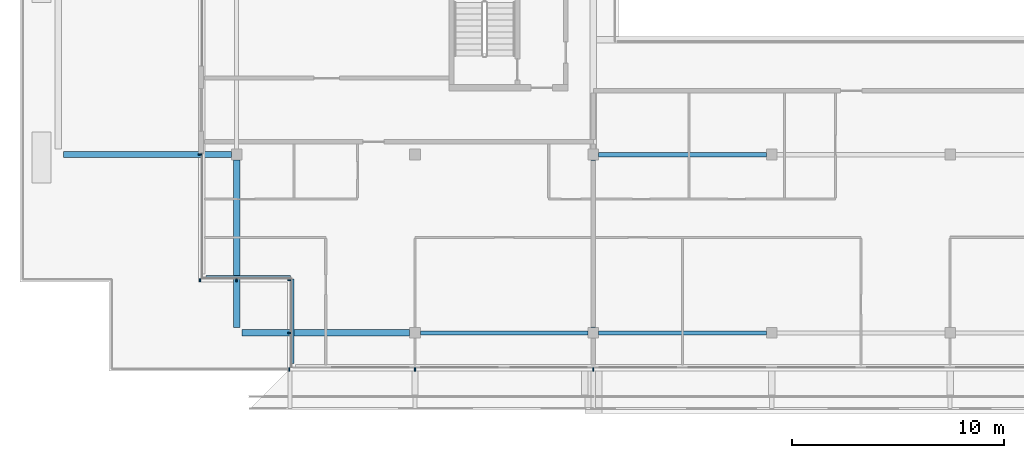
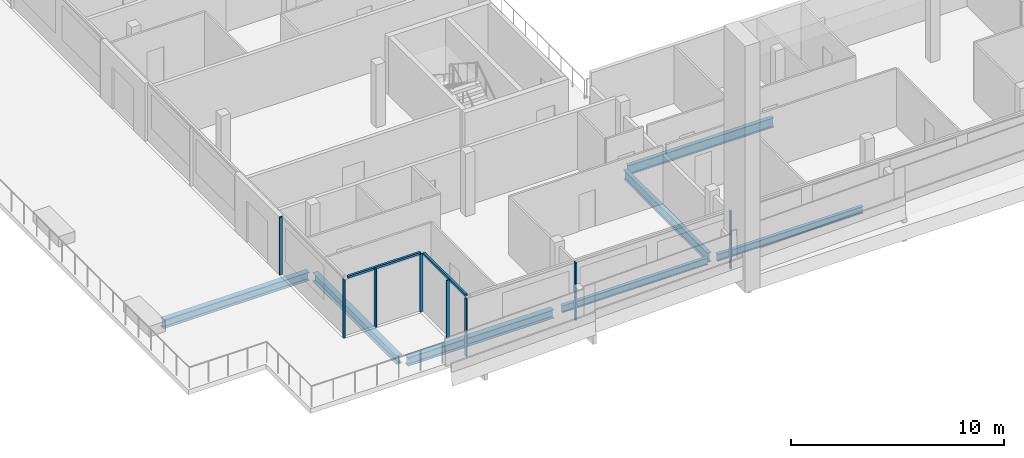
# One storey, part 2 of 29: 10 members, 7 beams, 4 elements without a shape of their own.
"""IFC4 building model written with IfcOpenShell, lengths in metres."""

from ifc_helpers import new_model, si_unit, direction, frame, origin, origin_2d, place, context, subcontext, project, spatial, rectangle, i_section, extrude, material, material_profile, profile_set, type_object, element, aggregate, save


model = new_model("IFC4")

# Units and contexts
model_context = context("Model", 3, precision=1e-05, world=origin(), true_north=direction((0.0, 1.0)))
body_context = subcontext(model_context, "Body", "Model", "MODEL_VIEW")
ifc_project = project(units=[si_unit("LENGTHUNIT", "METRE"), si_unit("AREAUNIT", "SQUARE_METRE"), si_unit("VOLUMEUNIT", "CUBIC_METRE"), si_unit("PLANEANGLEUNIT", "RADIAN"), si_unit("MASSUNIT", "GRAM", prefix="KILO")], contexts=[model_context])

# Site, building, storey
site_placement = place(None, origin())
site = spatial("IfcSite", under=ifc_project, at=site_placement, CompositionType="ELEMENT")
building_placement = place(site_placement, origin())
building = spatial("IfcBuilding", under=site, at=building_placement, Name="Saffron Gate Tower", CompositionType="ELEMENT")
storey_placement = place(building_placement, frame((0.0, 0.0, 270.75)))
storey = spatial("IfcBuildingStorey", under=building, at=storey_placement, Name="L65", CompositionType="ELEMENT", Elevation=270.75)

# Beams
ifc_material_1 = material(Name="Structural steel S355", Category="steel")
ifc_material_profile_1 = material_profile(ifc_material_1, i_section(OverallWidth=0.2099609375, OverallDepth=0.550048828125, WebThickness=0.010986328125, FlangeThickness=0.01708984375, FilletRadius=0.02392578125, at=origin_2d()))
ifc_profile_set_1 = profile_set([ifc_material_profile_1], Name="Structural steel S355")
beam_type_1 = type_object("IfcBeamType", Name="B12 IPE 550", PredefinedType="BEAM", material=ifc_profile_set_1)
for number, where, z_axis, x_axis, name in (
    (1, (75.0, 32.050048828125, -0.554931640625), (0.0, 1.0, 0.0), (-1.0, 0.0, 0.0), "B12 FLOOR GIRDER"),
    (2, (75.25, 40.199951171875, -0.554931640625), (1.0, 0.0, 0.0), (0.0, 1.0, 0.0), "B12 FLOOR GIRDER"),
):
    element("IfcBeam", number, at=place(storey_placement, frame(where, z_axis=z_axis, x_axis=x_axis)), inside=storey, type_object=beam_type_1, Name=name, PredefinedType="BEAM", context=body_context, shape_type="SweptSolid", body=[
        extrude(i_section(OverallWidth=0.2099609375, OverallDepth=0.550048828125, WebThickness=0.010986328125, FlangeThickness=0.01708984375, FilletRadius=0.02392578125, at=origin_2d()), origin(), (0.0, 0.0, 1.0), 7.89990234375),
    ])
ifc_material_profile_2 = material_profile(ifc_material_1, i_section(OverallWidth=0.179931640625, OverallDepth=0.39990234375, WebThickness=0.008544921875, FlangeThickness=0.013427734375, FilletRadius=0.02099609375, at=origin_2d()))
ifc_profile_set_2 = profile_set([ifc_material_profile_2], Name="Structural steel S355")
beam_type_2 = type_object("IfcBeamType", Name="B5 IPE 400", PredefinedType="SPANDREL", material=ifc_profile_set_2)
for number, where, z_axis, x_axis, name in (
    (3, (66.85009765625, 31.800048828125, -0.47998046875), (1.0, 0.0, 0.0), (0.0, 1.0, 0.0), "B5 SPANDREL BEAM"),
    (4, (75.25, 31.800048828125, -0.47998046875), (1.0, 0.0, 0.0), (0.0, 1.0, 0.0), "B5 SPANDREL BEAM"),
):
    element("IfcBeam", number, at=place(storey_placement, frame(where, z_axis=z_axis, x_axis=x_axis)), inside=storey, type_object=beam_type_2, Name=name, PredefinedType="SPANDREL", context=body_context, shape_type="SweptSolid", body=[
        extrude(i_section(OverallWidth=0.179931640625, OverallDepth=0.39990234375, WebThickness=0.008544921875, FlangeThickness=0.013427734375, FilletRadius=0.02099609375, at=origin_2d()), origin(), (0.0, 0.0, 1.0), 7.89990234375),
    ])
ifc_material_profile_3 = material_profile(ifc_material_1, i_section(OverallWidth=0.300048828125, OverallDepth=0.489990234375, WebThickness=0.011962890625, FlangeThickness=0.02294921875, FilletRadius=0.027099609375, at=origin_2d()))
ifc_profile_set_3 = profile_set([ifc_material_profile_3], Name="Structural steel S355")
beam_type_3 = type_object("IfcBeamType", Name="B8 HEA 500", PredefinedType="BEAM", material=ifc_profile_set_3)
beam_1_placement = place(storey_placement, frame((50.050048828125, 40.199951171875, -0.52490234375), z_axis=(1.0, 0.0, 0.0), x_axis=(0.0, 1.0, 0.0)))
element("IfcBeam", 5, at=beam_1_placement, inside=storey, type_object=beam_type_3, Name="B8 TERRACE BEAM", PredefinedType="BEAM", context=body_context, shape_type="SweptSolid", body=[
    extrude(i_section(OverallWidth=0.300048828125, OverallDepth=0.489990234375, WebThickness=0.011962890625, FlangeThickness=0.02294921875, FilletRadius=0.027099609375, at=origin_2d()), origin(), (0.0, 0.0, 1.0), 7.89990234375),
])
beam_2_placement = place(storey_placement, frame((58.449951171875, 31.800048828125, -0.52490234375), z_axis=(1.0, 0.0, 0.0), x_axis=(0.0, 1.0, 0.0)))
element("IfcBeam", 6, at=beam_2_placement, inside=storey, type_object=beam_type_3, Name="B8 TERRACE BEAM", PredefinedType="BEAM", context=body_context, shape_type="SweptSolid", body=[
    extrude(i_section(OverallWidth=0.300048828125, OverallDepth=0.489990234375, WebThickness=0.011962890625, FlangeThickness=0.02294921875, FilletRadius=0.027099609375, at=origin_2d()), origin(), (0.0, 0.0, 1.0), 7.900146484375),
])
beam_3_placement = place(storey_placement, frame((58.199951171875, 32.050048828125, -0.52490234375), z_axis=(0.0, 1.0, 0.0), x_axis=(-1.0, 0.0, 0.0)))
element("IfcBeam", 7, at=beam_3_placement, inside=storey, type_object=beam_type_3, Name="B8 TERRACE BEAM", PredefinedType="BEAM", context=body_context, shape_type="SweptSolid", body=[
    extrude(i_section(OverallWidth=0.300048828125, OverallDepth=0.489990234375, WebThickness=0.011962890625, FlangeThickness=0.02294921875, FilletRadius=0.027099609375, at=origin_2d()), origin(), (0.0, 0.0, 1.0), 7.89990234375),
])

# Curtain wall, members
ifc_material_2 = material(Name="Aluminium, bronze anodised", Category="aluminium")
curtain_wall_type_1 = type_object("IfcCurtainWallType", Name="CWS1 curtain wall front facade", PredefinedType="NOTDEFINED", material=ifc_material_2)
curtain_wall_1_placement = place(storey_placement, origin())
curtain_wall_1 = element("IfcCurtainWall", 8, at=curtain_wall_1_placement, inside=storey, type_object=curtain_wall_type_1, Name="CWS1 run 1", PredefinedType="NOTDEFINED")
ifc_material_profile_4 = material_profile(ifc_material_2, rectangle(XDim=0.159912109375, YDim=0.06005859375, at=origin_2d()))
ifc_profile_set_4 = profile_set([ifc_material_profile_4], Name="Aluminium, bronze anodised")
member_type_1 = type_object("IfcMemberType", Name="CWS1 mullion 60x160", PredefinedType="MULLION", material=ifc_profile_set_4)
member_1_placement = place(storey_placement, frame((60.679931640625, 30.080078125, 0.0), z_axis=(0.0, 0.0, 1.0), x_axis=(0.0, 1.0, 0.0)))
member_1 = element("IfcMember", 9, at=member_1_placement, type_object=member_type_1, Name="CWS1 mullion 1", PredefinedType="MULLION", context=body_context, shape_type="SweptSolid", body=[
    extrude(rectangle(XDim=0.159912109375, YDim=0.06005859375, at=origin_2d()), origin(), (0.0, 0.0, 1.0), 3.320068359375),
])
member_2_placement = place(storey_placement, frame((66.60009765625, 30.080078125, 0.0), z_axis=(0.0, 0.0, 1.0), x_axis=(0.0, 1.0, 0.0)))
member_2 = element("IfcMember", 10, at=member_2_placement, type_object=member_type_1, Name="CWS1 mullion 2", PredefinedType="MULLION", context=body_context, shape_type="SweptSolid", body=[
    extrude(rectangle(XDim=0.159912109375, YDim=0.06005859375, at=origin_2d()), origin(), (0.0, 0.0, 1.0), 3.320068359375),
])
member_3_placement = place(storey_placement, frame((75.0, 30.080078125, 0.0), z_axis=(0.0, 0.0, 1.0), x_axis=(0.0, 1.0, 0.0)))
member_3 = element("IfcMember", 11, at=member_3_placement, type_object=member_type_1, Name="CWS1 mullion 3", PredefinedType="MULLION", context=body_context, shape_type="SweptSolid", body=[
    extrude(rectangle(XDim=0.159912109375, YDim=0.06005859375, at=origin_2d()), origin(), (0.0, 0.0, 1.0), 3.320068359375),
])
aggregate(curtain_wall_1, [member_1, member_2, member_3])

# Curtain wall, member
curtain_wall_type_2 = type_object("IfcCurtainWallType", Name="CWS2 curtain wall side facades", PredefinedType="NOTDEFINED", material=ifc_material_2)
curtain_wall_2_placement = place(storey_placement, origin())
curtain_wall_2 = element("IfcCurtainWall", 12, at=curtain_wall_2_placement, inside=storey, type_object=curtain_wall_type_2, Name="CWS2 run 10", PredefinedType="NOTDEFINED")
ifc_material_profile_5 = material_profile(ifc_material_2, rectangle(XDim=0.159912109375, YDim=0.06005859375, at=origin_2d()))
ifc_profile_set_5 = profile_set([ifc_material_profile_5], Name="Aluminium, bronze anodised")
member_type_2 = type_object("IfcMemberType", Name="CWS2 mullion 60x160", PredefinedType="MULLION", material=ifc_profile_set_5)
member_4_placement = place(storey_placement, frame((56.47998046875, 40.199951171875, 0.0), z_axis=(0.0, 0.0, 1.0), x_axis=(1.0, 0.0, 0.0)))
member_4 = element("IfcMember", 13, at=member_4_placement, type_object=member_type_2, Name="CWS2 mullion 5", PredefinedType="MULLION", context=body_context, shape_type="SweptSolid", body=[
    extrude(rectangle(XDim=0.159912109375, YDim=0.06005859375, at=origin_2d()), origin(), (0.0, 0.0, 1.0), 3.320068359375),
])
aggregate(curtain_wall_2, [member_4])

curtain_wall_type_3 = type_object("IfcCurtainWallType", Name="CWS4 curtain wall corner returns", PredefinedType="NOTDEFINED", material=ifc_material_2)
curtain_wall_3_placement = place(storey_placement, origin())
curtain_wall_3 = element("IfcCurtainWall", 14, at=curtain_wall_3_placement, inside=storey, type_object=curtain_wall_type_3, Name="CWS4 run 11", PredefinedType="NOTDEFINED")
ifc_material_profile_6 = material_profile(ifc_material_2, rectangle(XDim=0.1201171875, YDim=0.1201171875, at=origin_2d()))
ifc_profile_set_6 = profile_set([ifc_material_profile_6], Name="Aluminium, bronze anodised")
member_type_3 = type_object("IfcMemberType", Name="CWS4 head transom", PredefinedType="USERDEFINED", material=ifc_profile_set_6)
member_5_placement = place(storey_placement, frame((56.76806640625, 34.447998046875, 3.260009765625), z_axis=(1.0, 0.0, 0.0), x_axis=(0.0, 1.0, 0.0)))
member_5 = element("IfcMember", 15, at=member_5_placement, type_object=member_type_3, Name="CWS4 head transom", ObjectType="TRANSOM", PredefinedType="USERDEFINED", context=body_context, shape_type="SweptSolid", body=[
    extrude(rectangle(XDim=0.1201171875, YDim=0.1201171875, at=origin_2d()), origin(), (0.0, 0.0, 1.0), 3.9599609375),
])

curtain_wall_4_placement = place(storey_placement, origin())
curtain_wall_4 = element("IfcCurtainWall", 16, at=curtain_wall_4_placement, inside=storey, type_object=curtain_wall_type_3, Name="CWS4 run 12", PredefinedType="NOTDEFINED")
member_6_placement = place(storey_placement, frame((60.847900390625, 34.327880859375, 3.260009765625), z_axis=(0.0, -1.0, 0.0), x_axis=(1.0, 0.0, 0.0)))
member_6 = element("IfcMember", 17, at=member_6_placement, type_object=member_type_3, Name="CWS4 head transom", ObjectType="TRANSOM", PredefinedType="USERDEFINED", context=body_context, shape_type="SweptSolid", body=[
    extrude(rectangle(XDim=0.1201171875, YDim=0.1201171875, at=origin_2d()), origin(), (0.0, 0.0, 1.0), 3.9599609375),
])

# Member
ifc_material_profile_7 = material_profile(ifc_material_2, rectangle(XDim=0.159912109375, YDim=0.06005859375, at=origin_2d()))
ifc_profile_set_7 = profile_set([ifc_material_profile_7], Name="Aluminium, bronze anodised")
member_type_4 = type_object("IfcMemberType", Name="CWS4 mullion 60x160", PredefinedType="MULLION", material=ifc_profile_set_7)
member_7_placement = place(storey_placement, frame((56.47998046875, 34.280029296875, 0.0), z_axis=(0.0, 0.0, 1.0), x_axis=(0.0, 1.0, 0.0)))
member_7 = element("IfcMember", 18, at=member_7_placement, type_object=member_type_4, Name="CWS4 mullion 1", PredefinedType="MULLION", context=body_context, shape_type="SweptSolid", body=[
    extrude(rectangle(XDim=0.159912109375, YDim=0.06005859375, at=origin_2d()), origin(), (0.0, 0.0, 1.0), 3.320068359375),
])

member_8_placement = place(storey_placement, frame((58.199951171875, 34.280029296875, 0.0), z_axis=(0.0, 0.0, 1.0), x_axis=(0.0, 1.0, 0.0)))
member_8 = element("IfcMember", 19, at=member_8_placement, type_object=member_type_4, Name="CWS4 mullion 2", PredefinedType="MULLION", context=body_context, shape_type="SweptSolid", body=[
    extrude(rectangle(XDim=0.159912109375, YDim=0.06005859375, at=origin_2d()), origin(), (0.0, 0.0, 1.0), 3.320068359375),
])

aggregate(curtain_wall_3, [member_7, member_8, member_5])

member_9_placement = place(storey_placement, frame((60.679931640625, 34.280029296875, 0.0), z_axis=(0.0, 0.0, 1.0), x_axis=(1.0, 0.0, 0.0)))
member_9 = element("IfcMember", 20, at=member_9_placement, type_object=member_type_4, Name="CWS4 mullion 1", PredefinedType="MULLION", context=body_context, shape_type="SweptSolid", body=[
    extrude(rectangle(XDim=0.159912109375, YDim=0.06005859375, at=origin_2d()), origin(), (0.0, 0.0, 1.0), 3.320068359375),
])

member_10_placement = place(storey_placement, frame((60.679931640625, 31.800048828125, 0.0), z_axis=(0.0, 0.0, 1.0), x_axis=(1.0, 0.0, 0.0)))
member_10 = element("IfcMember", 21, at=member_10_placement, type_object=member_type_4, Name="CWS4 mullion 2", PredefinedType="MULLION", context=body_context, shape_type="SweptSolid", body=[
    extrude(rectangle(XDim=0.159912109375, YDim=0.06005859375, at=origin_2d()), origin(), (0.0, 0.0, 1.0), 3.320068359375),
])

aggregate(curtain_wall_4, [member_9, member_10, member_6])

save(model, "model.ifc")
